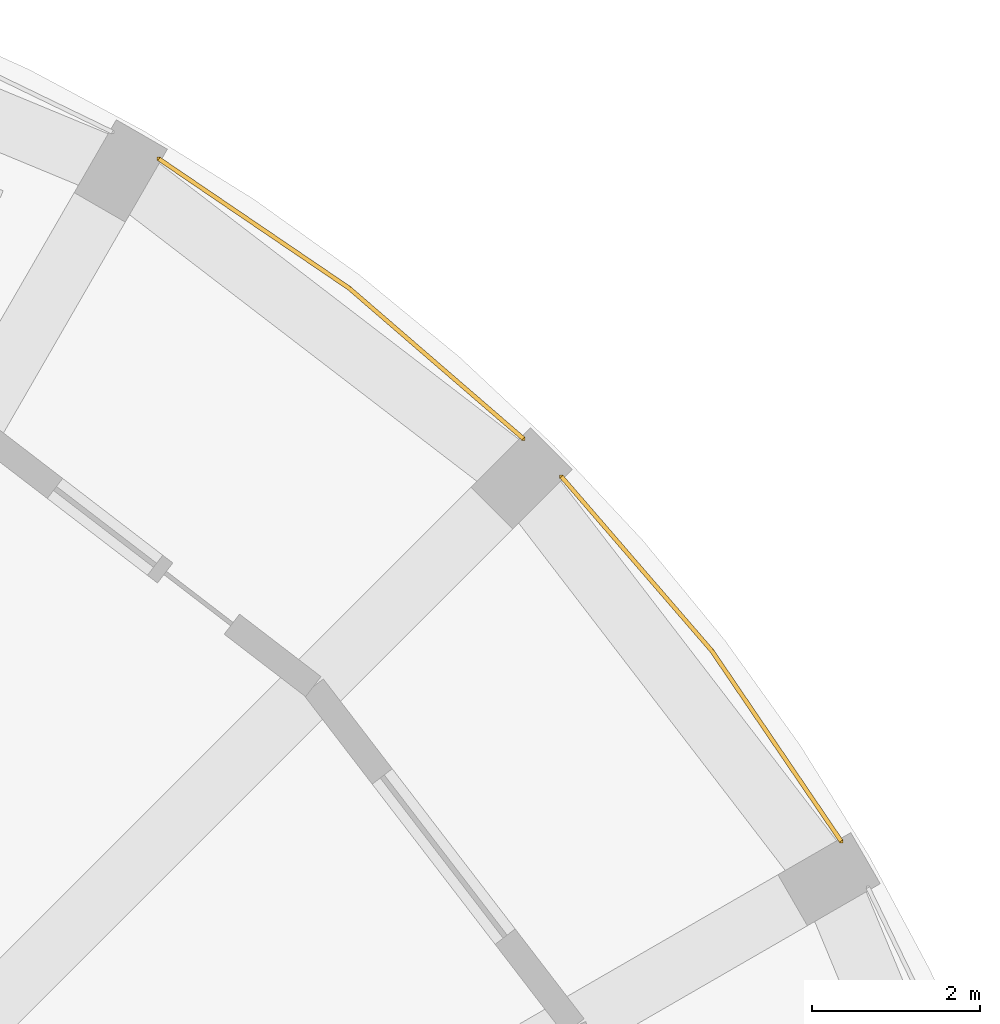
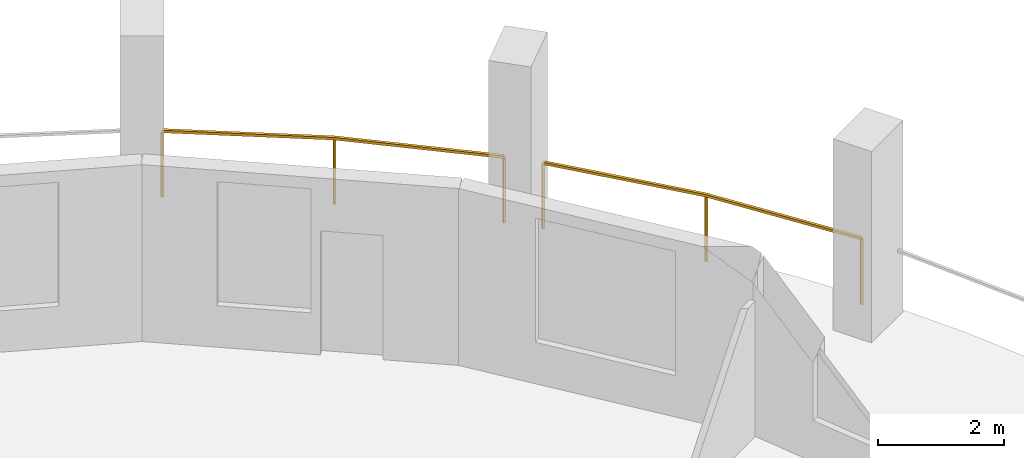
# One storey, part 8 of 8: 2 railings.
"""IFC4 building model written with IfcOpenShell, lengths in metres."""

from ifc_helpers import new_model, si_unit, direction, frame, origin, origin_2d, place, context, subcontext, project, spatial, rectangle, extrude, material, type_object, element, save


model = new_model("IFC4")

# Units and contexts
model_context = context("Model", 3, precision=1e-05, world=origin(), true_north=direction((0.0, 1.0)))
body_context = subcontext(model_context, "Body", "Model", "MODEL_VIEW")
ifc_project = project(units=[si_unit("LENGTHUNIT", "METRE"), si_unit("AREAUNIT", "SQUARE_METRE"), si_unit("VOLUMEUNIT", "CUBIC_METRE"), si_unit("PLANEANGLEUNIT", "RADIAN"), si_unit("MASSUNIT", "GRAM", prefix="KILO")], contexts=[model_context])

# Site, building, storey
site_placement = place(None, origin())
site = spatial("IfcSite", under=ifc_project, at=site_placement, CompositionType="ELEMENT")
building_placement = place(site_placement, origin())
building = spatial("IfcBuilding", under=site, at=building_placement, Name="Torre Triforio", CompositionType="ELEMENT")
storey_placement = place(building_placement, frame((0.0, 0.0, 200.199951171875)))
storey = spatial("IfcBuildingStorey", under=building, at=storey_placement, Name="L45", CompositionType="ELEMENT", Elevation=200.199951171875)

# Railings
ifc_material = material(Name="Stainless steel AISI 316", Category="steel")
railing_type = type_object("IfcRailingType", Name="Loggia guard 1300", PredefinedType="GUARDRAIL", material=ifc_material)
railing_1_placement = place(storey_placement, frame((20.061767578125, 11.9521484375, 0.0)))
element("IfcRailing", 1, at=railing_1_placement, inside=storey, type_object=railing_type, Name="Loggia guard L45 bay 03", PredefinedType="GUARDRAIL", context=body_context, shape_type="SweptSolid", body=[
    extrude(rectangle(XDim=0.050048828125, YDim=0.050048828125, at=origin_2d()), frame((0.0, 0.0, 1.27490234375), z_axis=(-0.561909542334, 0.827198686069, 0.0), x_axis=(-0.827198686069, -0.561909542334, 0.0)), (0.0, 0.0, 1.0), 2.735107421875),
    extrude(rectangle(XDim=0.050048828125, YDim=0.050048828125, at=origin_2d()), frame((-1.536865234375, 2.262451171875, 1.27490234375), z_axis=(-0.653580361536, 0.756857127214, 0.0), x_axis=(-0.756857127214, -0.653580361536, 0.0)), (0.0, 0.0, 1.0), 2.735107421875),
    extrude(rectangle(XDim=0.0400390625, YDim=0.0400390625, at=origin_2d()), origin(), (0.0, 0.0, 1.0), 1.25),
    extrude(rectangle(XDim=0.0400390625, YDim=0.0400390625, at=origin_2d()), frame((-1.536865234375, 2.262451171875, 0.0)), (0.0, 0.0, 1.0), 1.25),
    extrude(rectangle(XDim=0.0400390625, YDim=0.0400390625, at=origin_2d()), frame((-3.324462890625, 4.33251953125, 0.0)), (0.0, 0.0, 1.0), 1.25),
])
railing_2_placement = place(storey_placement, frame((16.28466796875, 16.7373046875, 0.0)))
element("IfcRailing", 2, at=railing_2_placement, inside=storey, type_object=railing_type, Name="Loggia guard L45 bay 04", PredefinedType="GUARDRAIL", context=body_context, shape_type="SweptSolid", body=[
    extrude(rectangle(XDim=0.050048828125, YDim=0.050048828125, at=origin_2d()), frame((0.0, 0.0, 1.27490234375), z_axis=(-0.756857127214, 0.653580361536, 0.0), x_axis=(-0.653580361536, -0.756857127214, 0.0)), (0.0, 0.0, 1.0), 2.735107421875),
    extrude(rectangle(XDim=0.050048828125, YDim=0.050048828125, at=origin_2d()), frame((-2.070068359375, 1.78759765625, 1.27490234375), z_axis=(-0.827198686069, 0.561909542334, 0.0), x_axis=(-0.561909542334, -0.827198686069, 0.0)), (0.0, 0.0, 1.0), 2.735107421875),
    extrude(rectangle(XDim=0.0400390625, YDim=0.0400390625, at=origin_2d()), origin(), (0.0, 0.0, 1.0), 1.25),
    extrude(rectangle(XDim=0.0400390625, YDim=0.0400390625, at=origin_2d()), frame((-2.070068359375, 1.78759765625, 0.0)), (0.0, 0.0, 1.0), 1.25),
    extrude(rectangle(XDim=0.0400390625, YDim=0.0400390625, at=origin_2d()), frame((-4.33251953125, 3.324462890625, 0.0)), (0.0, 0.0, 1.0), 1.25),
])

save(model, "model.ifc")
